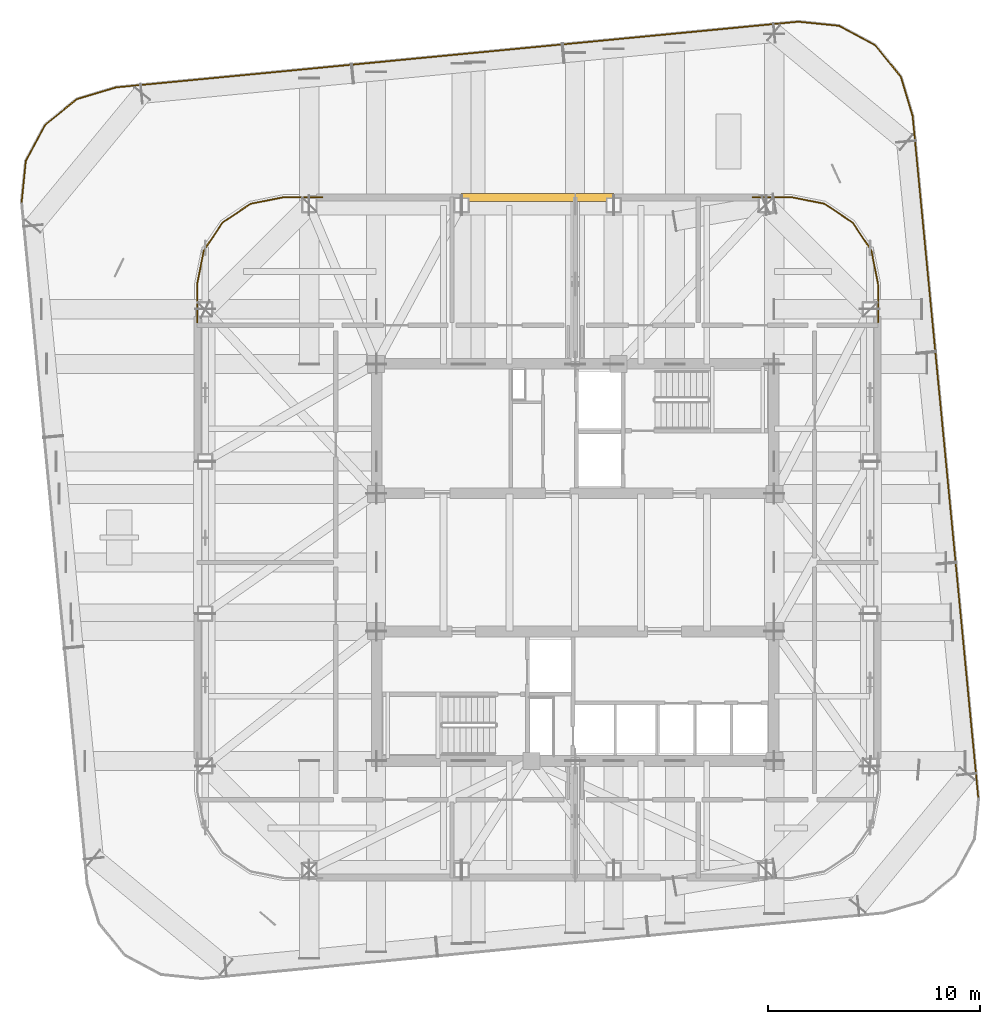
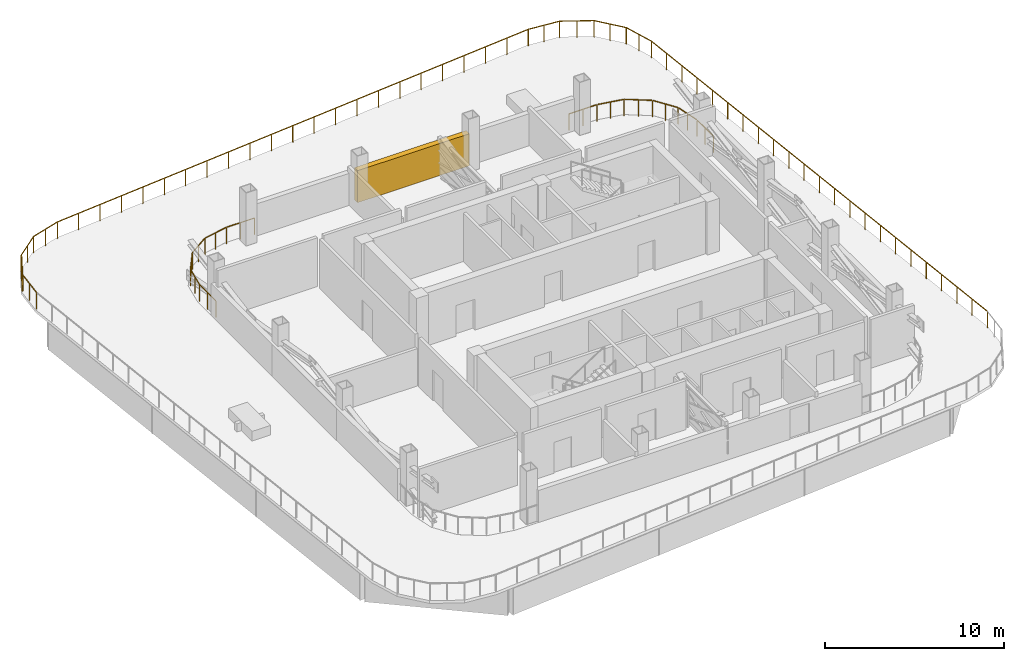
# One storey, part 12 of 12: 12 railings, 1 shading device.
"""IFC4 building model written with IfcOpenShell, lengths in metres."""

from ifc_helpers import new_model, si_unit, direction, frame, origin, origin_2d, place, context, subcontext, project, spatial, rectangle, extrude, material, type_object, element, save


model = new_model("IFC4")

# Units and contexts
model_context = context("Model", 3, precision=1e-05, world=origin(), true_north=direction((0.0, 1.0)))
body_context = subcontext(model_context, "Body", "Model", "MODEL_VIEW")
ifc_project = project(units=[si_unit("LENGTHUNIT", "METRE"), si_unit("AREAUNIT", "SQUARE_METRE"), si_unit("VOLUMEUNIT", "CUBIC_METRE"), si_unit("PLANEANGLEUNIT", "RADIAN"), si_unit("MASSUNIT", "GRAM", prefix="KILO")], contexts=[model_context])

# Site, building, storey
site_placement = place(None, origin())
site = spatial("IfcSite", under=ifc_project, at=site_placement, CompositionType="ELEMENT")
building_placement = place(site_placement, origin())
building = spatial("IfcBuilding", under=site, at=building_placement, Name="Qhalaya Broadcast Tower", CompositionType="ELEMENT")
storey_placement = place(building_placement, frame((0.0, 0.0, 187.949951171875)))
storey = spatial("IfcBuildingStorey", under=building, at=storey_placement, Name="L55", CompositionType="ELEMENT", Elevation=187.949951171875)

# Shading device
ifc_material_1 = material(Name="Fired Architectural Terracotta", Category="masonry")
shading_device_type = type_object("IfcShadingDeviceType", Name="Plant & Turbine-Slot Acoustic Louvre Screen LVS-01", PredefinedType="USERDEFINED", material=ifc_material_1)
shading_device_placement = place(storey_placement, frame((-1.77001953125, 17.780029296875, 0.0), z_axis=(0.0, 0.0, 1.0), x_axis=(1.0, 0.0, 0.0)))
element("IfcShadingDevice", 1, at=shading_device_placement, inside=storey, type_object=shading_device_type, Name="L55 Plant Acoustic Louvre Screen N", ObjectType="LOUVRE", PredefinedType="USERDEFINED", context=body_context, shape_type="SweptSolid", body=[
    extrude(rectangle(XDim=7.199951171875, YDim=0.360107421875, at=origin_2d()), origin(), (0.0, 0.0, 1.0), 2.181884765625),
])

# Railings
ifc_material_2 = material(Name="Powder-Coated Galvanised Steel", Category="steel")
railing_type = type_object("IfcRailingType", Name="Terrace, Sky-Pool & Lookout Glass Balustrade 1150", PredefinedType="BALUSTRADE", material=ifc_material_2)
railing_1_placement = place(storey_placement, frame((-26.06005859375, 17.58837890625, 0.0)))
element("IfcRailing", 2, at=railing_1_placement, inside=storey, type_object=railing_type, Name="L55 Perimeter Safety Balustrade BAL-TER1-07", PredefinedType="BALUSTRADE", context=body_context, shape_type="SweptSolid", body=[
    extrude(rectangle(XDim=0.048095703125, YDim=0.048095703125, at=origin_2d()), frame((0.0, 0.0, 1.1259765625), z_axis=(0.100080680776, 0.994979325079, 0.0), x_axis=(-0.994979325079, 0.100080680776, 0.0)), (0.0, 0.0, 1.0), 1.92724609375),
    extrude(rectangle(XDim=0.0419921875, YDim=0.0419921875, at=origin_2d()), origin(), (0.0, 0.0, 1.0), 1.099853515625),
    extrude(rectangle(XDim=0.0419921875, YDim=0.0419921875, at=origin_2d()), frame((0.096435546875, 0.958740234375, 0.0)), (0.0, 0.0, 1.0), 1.099853515625),
    extrude(rectangle(XDim=0.0419921875, YDim=0.0419921875, at=origin_2d()), frame((0.19287109375, 1.91748046875, 0.0)), (0.0, 0.0, 1.0), 1.099853515625),
])
railing_2_placement = place(storey_placement, frame((-25.8671875, 19.505859375, 0.0)))
element("IfcRailing", 3, at=railing_2_placement, inside=storey, type_object=railing_type, Name="L55 Perimeter Safety Balustrade BAL-TER1-08", PredefinedType="BALUSTRADE", context=body_context, shape_type="SweptSolid", body=[
    extrude(rectangle(XDim=0.048095703125, YDim=0.048095703125, at=origin_2d()), frame((0.0, 0.0, 1.1259765625), z_axis=(0.473378955545, 0.880858878849, 0.0), x_axis=(-0.880858878849, 0.473378955545, 0.0)), (0.0, 0.0, 1.0), 1.919189453125),
    extrude(rectangle(XDim=0.0419921875, YDim=0.0419921875, at=origin_2d()), origin(), (0.0, 0.0, 1.0), 1.099853515625),
    extrude(rectangle(XDim=0.0419921875, YDim=0.0419921875, at=origin_2d()), frame((0.4541015625, 0.84521484375, 0.0)), (0.0, 0.0, 1.0), 1.099853515625),
    extrude(rectangle(XDim=0.0419921875, YDim=0.0419921875, at=origin_2d()), frame((0.908447265625, 1.6904296875, 0.0)), (0.0, 0.0, 1.0), 1.099853515625),
])
railing_3_placement = place(storey_placement, frame((-24.958740234375, 21.1962890625, 0.0)))
element("IfcRailing", 4, at=railing_3_placement, inside=storey, type_object=railing_type, Name="L55 Perimeter Safety Balustrade BAL-TER1-09", PredefinedType="BALUSTRADE", context=body_context, shape_type="SweptSolid", body=[
    extrude(rectangle(XDim=0.048095703125, YDim=0.048095703125, at=origin_2d()), frame((0.0, 0.0, 1.1259765625), z_axis=(0.774410571314, 0.632683386092, 0.0), x_axis=(-0.632683386092, 0.774410571314, 0.0)), (0.0, 0.0, 1.0), 1.9189453125),
    extrude(rectangle(XDim=0.0419921875, YDim=0.0419921875, at=origin_2d()), origin(), (0.0, 0.0, 1.0), 1.099853515625),
    extrude(rectangle(XDim=0.0419921875, YDim=0.0419921875, at=origin_2d()), frame((0.7431640625, 0.60693359375, 0.0)), (0.0, 0.0, 1.0), 1.099853515625),
    extrude(rectangle(XDim=0.0419921875, YDim=0.0419921875, at=origin_2d()), frame((1.486083984375, 1.214111328125, 0.0)), (0.0, 0.0, 1.0), 1.099853515625),
])
railing_4_placement = place(storey_placement, frame((-23.47265625, 22.410400390625, 0.0)))
element("IfcRailing", 5, at=railing_4_placement, inside=storey, type_object=railing_type, Name="L55 Perimeter Safety Balustrade BAL-TER1-10", PredefinedType="BALUSTRADE", context=body_context, shape_type="SweptSolid", body=[
    extrude(rectangle(XDim=0.048095703125, YDim=0.048095703125, at=origin_2d()), frame((0.0, 0.0, 1.1259765625), z_axis=(0.957571388004, 0.288196177763, 0.0), x_axis=(-0.288196177763, 0.957571388004, 0.0)), (0.0, 0.0, 1.0), 1.92724609375),
    extrude(rectangle(XDim=0.0419921875, YDim=0.0419921875, at=origin_2d()), origin(), (0.0, 0.0, 1.0), 1.099853515625),
    extrude(rectangle(XDim=0.0419921875, YDim=0.0419921875, at=origin_2d()), frame((0.9228515625, 0.27783203125, 0.0)), (0.0, 0.0, 1.0), 1.099853515625),
    extrude(rectangle(XDim=0.0419921875, YDim=0.0419921875, at=origin_2d()), frame((1.845458984375, 0.555419921875, 0.0)), (0.0, 0.0, 1.0), 1.099853515625),
])
railing_5_placement = place(storey_placement, frame((-21.627197265625, 22.9658203125, 0.0)))
element("IfcRailing", 6, at=railing_5_placement, inside=storey, type_object=railing_type, Name="L55 Perimeter Safety Balustrade BAL-TER1-11", PredefinedType="BALUSTRADE", context=body_context, shape_type="SweptSolid", body=[
    extrude(rectangle(XDim=0.048095703125, YDim=0.048095703125, at=origin_2d()), frame((0.0, 0.0, 1.1259765625), z_axis=(0.995396370471, 0.095843965139, 0.0), x_axis=(-0.095843965139, 0.995396370471, 0.0)), (0.0, 0.0, 1.0), 32.2841796875),
    extrude(rectangle(XDim=0.0419921875, YDim=0.0419921875, at=origin_2d()), origin(), (0.0, 0.0, 1.0), 1.099853515625),
    extrude(rectangle(XDim=0.0419921875, YDim=0.0419921875, at=origin_2d()), frame((1.460693359375, 0.140625, 0.0)), (0.0, 0.0, 1.0), 1.099853515625),
    extrude(rectangle(XDim=0.0419921875, YDim=0.0419921875, at=origin_2d()), frame((2.92138671875, 0.28125, 0.0)), (0.0, 0.0, 1.0), 1.099853515625),
    extrude(rectangle(XDim=0.0419921875, YDim=0.0419921875, at=origin_2d()), frame((4.382080078125, 0.421875, 0.0)), (0.0, 0.0, 1.0), 1.099853515625),
    extrude(rectangle(XDim=0.0419921875, YDim=0.0419921875, at=origin_2d()), frame((5.8427734375, 0.5625, 0.0)), (0.0, 0.0, 1.0), 1.099853515625),
    extrude(rectangle(XDim=0.0419921875, YDim=0.0419921875, at=origin_2d()), frame((7.303466796875, 0.703125, 0.0)), (0.0, 0.0, 1.0), 1.099853515625),
    extrude(rectangle(XDim=0.0419921875, YDim=0.0419921875, at=origin_2d()), frame((8.76416015625, 0.843994140625, 0.0)), (0.0, 0.0, 1.0), 1.099853515625),
    extrude(rectangle(XDim=0.0419921875, YDim=0.0419921875, at=origin_2d()), frame((10.224853515625, 0.984619140625, 0.0)), (0.0, 0.0, 1.0), 1.099853515625),
    extrude(rectangle(XDim=0.0419921875, YDim=0.0419921875, at=origin_2d()), frame((11.685546875, 1.125244140625, 0.0)), (0.0, 0.0, 1.0), 1.099853515625),
    extrude(rectangle(XDim=0.0419921875, YDim=0.0419921875, at=origin_2d()), frame((13.146240234375, 1.265869140625, 0.0)), (0.0, 0.0, 1.0), 1.099853515625),
    extrude(rectangle(XDim=0.0419921875, YDim=0.0419921875, at=origin_2d()), frame((14.60693359375, 1.406494140625, 0.0)), (0.0, 0.0, 1.0), 1.099853515625),
    extrude(rectangle(XDim=0.0419921875, YDim=0.0419921875, at=origin_2d()), frame((16.06787109375, 1.547119140625, 0.0)), (0.0, 0.0, 1.0), 1.099853515625),
    extrude(rectangle(XDim=0.0419921875, YDim=0.0419921875, at=origin_2d()), frame((17.528564453125, 1.687744140625, 0.0)), (0.0, 0.0, 1.0), 1.099853515625),
    extrude(rectangle(XDim=0.0419921875, YDim=0.0419921875, at=origin_2d()), frame((18.9892578125, 1.828369140625, 0.0)), (0.0, 0.0, 1.0), 1.099853515625),
    extrude(rectangle(XDim=0.0419921875, YDim=0.0419921875, at=origin_2d()), frame((20.449951171875, 1.968994140625, 0.0)), (0.0, 0.0, 1.0), 1.099853515625),
    extrude(rectangle(XDim=0.0419921875, YDim=0.0419921875, at=origin_2d()), frame((21.91064453125, 2.109619140625, 0.0)), (0.0, 0.0, 1.0), 1.099853515625),
    extrude(rectangle(XDim=0.0419921875, YDim=0.0419921875, at=origin_2d()), frame((23.371337890625, 2.250244140625, 0.0)), (0.0, 0.0, 1.0), 1.099853515625),
    extrude(rectangle(XDim=0.0419921875, YDim=0.0419921875, at=origin_2d()), frame((24.83203125, 2.39111328125, 0.0)), (0.0, 0.0, 1.0), 1.099853515625),
    extrude(rectangle(XDim=0.0419921875, YDim=0.0419921875, at=origin_2d()), frame((26.292724609375, 2.53173828125, 0.0)), (0.0, 0.0, 1.0), 1.099853515625),
    extrude(rectangle(XDim=0.0419921875, YDim=0.0419921875, at=origin_2d()), frame((27.75341796875, 2.67236328125, 0.0)), (0.0, 0.0, 1.0), 1.099853515625),
    extrude(rectangle(XDim=0.0419921875, YDim=0.0419921875, at=origin_2d()), frame((29.214111328125, 2.81298828125, 0.0)), (0.0, 0.0, 1.0), 1.099853515625),
    extrude(rectangle(XDim=0.0419921875, YDim=0.0419921875, at=origin_2d()), frame((30.6748046875, 2.95361328125, 0.0)), (0.0, 0.0, 1.0), 1.099853515625),
    extrude(rectangle(XDim=0.0419921875, YDim=0.0419921875, at=origin_2d()), frame((32.135498046875, 3.09423828125, 0.0)), (0.0, 0.0, 1.0), 1.099853515625),
])
railing_6_placement = place(storey_placement, frame((10.50830078125, 26.06005859375, 0.0)))
element("IfcRailing", 7, at=railing_6_placement, inside=storey, type_object=railing_type, Name="L55 Perimeter Safety Balustrade BAL-TER1-12", PredefinedType="BALUSTRADE", context=body_context, shape_type="SweptSolid", body=[
    extrude(rectangle(XDim=0.048095703125, YDim=0.048095703125, at=origin_2d()), frame((0.0, 0.0, 1.1259765625), z_axis=(0.994979325079, -0.100080680776, 0.0), x_axis=(0.100080680776, 0.994979325079, 0.0)), (0.0, 0.0, 1.0), 1.92724609375),
    extrude(rectangle(XDim=0.0419921875, YDim=0.0419921875, at=origin_2d()), origin(), (0.0, 0.0, 1.0), 1.099853515625),
    extrude(rectangle(XDim=0.0419921875, YDim=0.0419921875, at=origin_2d()), frame((0.958740234375, -0.096435546875, 0.0)), (0.0, 0.0, 1.0), 1.099853515625),
    extrude(rectangle(XDim=0.0419921875, YDim=0.0419921875, at=origin_2d()), frame((1.91748046875, -0.19287109375, 0.0)), (0.0, 0.0, 1.0), 1.099853515625),
])
railing_7_placement = place(storey_placement, frame((12.42578125, 25.8671875, 0.0)))
element("IfcRailing", 8, at=railing_7_placement, inside=storey, type_object=railing_type, Name="L55 Perimeter Safety Balustrade BAL-TER1-13", PredefinedType="BALUSTRADE", context=body_context, shape_type="SweptSolid", body=[
    extrude(rectangle(XDim=0.048095703125, YDim=0.048095703125, at=origin_2d()), frame((0.0, 0.0, 1.1259765625), z_axis=(0.880858878849, -0.473378955545, 0.0), x_axis=(0.473378955545, 0.880858878849, 0.0)), (0.0, 0.0, 1.0), 1.919189453125),
    extrude(rectangle(XDim=0.0419921875, YDim=0.0419921875, at=origin_2d()), origin(), (0.0, 0.0, 1.0), 1.099853515625),
    extrude(rectangle(XDim=0.0419921875, YDim=0.0419921875, at=origin_2d()), frame((0.84521484375, -0.4541015625, 0.0)), (0.0, 0.0, 1.0), 1.099853515625),
    extrude(rectangle(XDim=0.0419921875, YDim=0.0419921875, at=origin_2d()), frame((1.6904296875, -0.908447265625, 0.0)), (0.0, 0.0, 1.0), 1.099853515625),
])
railing_8_placement = place(storey_placement, frame((14.1162109375, 24.958740234375, 0.0)))
element("IfcRailing", 9, at=railing_8_placement, inside=storey, type_object=railing_type, Name="L55 Perimeter Safety Balustrade BAL-TER1-14", PredefinedType="BALUSTRADE", context=body_context, shape_type="SweptSolid", body=[
    extrude(rectangle(XDim=0.048095703125, YDim=0.048095703125, at=origin_2d()), frame((0.0, 0.0, 1.1259765625), z_axis=(0.632759674418, -0.774348238476, 0.0), x_axis=(0.774348238476, 0.632759674418, 0.0)), (0.0, 0.0, 1.0), 1.919189453125),
    extrude(rectangle(XDim=0.0419921875, YDim=0.0419921875, at=origin_2d()), origin(), (0.0, 0.0, 1.0), 1.099853515625),
    extrude(rectangle(XDim=0.0419921875, YDim=0.0419921875, at=origin_2d()), frame((0.607177734375, -0.7431640625, 0.0)), (0.0, 0.0, 1.0), 1.099853515625),
    extrude(rectangle(XDim=0.0419921875, YDim=0.0419921875, at=origin_2d()), frame((1.21435546875, -1.486083984375, 0.0)), (0.0, 0.0, 1.0), 1.099853515625),
])
railing_9_placement = place(storey_placement, frame((15.33056640625, 23.47265625, 0.0)))
element("IfcRailing", 10, at=railing_9_placement, inside=storey, type_object=railing_type, Name="L55 Perimeter Safety Balustrade BAL-TER1-15", PredefinedType="BALUSTRADE", context=body_context, shape_type="SweptSolid", body=[
    extrude(rectangle(XDim=0.048095703125, YDim=0.048095703125, at=origin_2d()), frame((0.0, 0.0, 1.1259765625), z_axis=(0.288080013399, -0.957606341813, 0.0), x_axis=(0.957606341813, 0.288080013399, 0.0)), (0.0, 0.0, 1.0), 1.92724609375),
    extrude(rectangle(XDim=0.0419921875, YDim=0.0419921875, at=origin_2d()), origin(), (0.0, 0.0, 1.0), 1.099853515625),
    extrude(rectangle(XDim=0.0419921875, YDim=0.0419921875, at=origin_2d()), frame((0.277587890625, -0.9228515625, 0.0)), (0.0, 0.0, 1.0), 1.099853515625),
    extrude(rectangle(XDim=0.0419921875, YDim=0.0419921875, at=origin_2d()), frame((0.55517578125, -1.845458984375, 0.0)), (0.0, 0.0, 1.0), 1.099853515625),
])
railing_10_placement = place(storey_placement, frame((15.8857421875, 21.627197265625, 0.0)))
element("IfcRailing", 11, at=railing_10_placement, inside=storey, type_object=railing_type, Name="L55 Perimeter Safety Balustrade BAL-TER1-16", PredefinedType="BALUSTRADE", context=body_context, shape_type="SweptSolid", body=[
    extrude(rectangle(XDim=0.048095703125, YDim=0.048095703125, at=origin_2d()), frame((0.0, 0.0, 1.1259765625), z_axis=(0.095843965139, -0.995396370471, 0.0), x_axis=(0.995396370471, 0.095843965139, 0.0)), (0.0, 0.0, 1.0), 32.2841796875),
    extrude(rectangle(XDim=0.0419921875, YDim=0.0419921875, at=origin_2d()), origin(), (0.0, 0.0, 1.0), 1.099853515625),
    extrude(rectangle(XDim=0.0419921875, YDim=0.0419921875, at=origin_2d()), frame((0.140625, -1.460693359375, 0.0)), (0.0, 0.0, 1.0), 1.099853515625),
    extrude(rectangle(XDim=0.0419921875, YDim=0.0419921875, at=origin_2d()), frame((0.28125, -2.92138671875, 0.0)), (0.0, 0.0, 1.0), 1.099853515625),
    extrude(rectangle(XDim=0.0419921875, YDim=0.0419921875, at=origin_2d()), frame((0.421875, -4.382080078125, 0.0)), (0.0, 0.0, 1.0), 1.099853515625),
    extrude(rectangle(XDim=0.0419921875, YDim=0.0419921875, at=origin_2d()), frame((0.5625, -5.8427734375, 0.0)), (0.0, 0.0, 1.0), 1.099853515625),
    extrude(rectangle(XDim=0.0419921875, YDim=0.0419921875, at=origin_2d()), frame((0.703125, -7.303466796875, 0.0)), (0.0, 0.0, 1.0), 1.099853515625),
    extrude(rectangle(XDim=0.0419921875, YDim=0.0419921875, at=origin_2d()), frame((0.843994140625, -8.76416015625, 0.0)), (0.0, 0.0, 1.0), 1.099853515625),
    extrude(rectangle(XDim=0.0419921875, YDim=0.0419921875, at=origin_2d()), frame((0.984619140625, -10.224853515625, 0.0)), (0.0, 0.0, 1.0), 1.099853515625),
    extrude(rectangle(XDim=0.0419921875, YDim=0.0419921875, at=origin_2d()), frame((1.125244140625, -11.685546875, 0.0)), (0.0, 0.0, 1.0), 1.099853515625),
    extrude(rectangle(XDim=0.0419921875, YDim=0.0419921875, at=origin_2d()), frame((1.265869140625, -13.146240234375, 0.0)), (0.0, 0.0, 1.0), 1.099853515625),
    extrude(rectangle(XDim=0.0419921875, YDim=0.0419921875, at=origin_2d()), frame((1.406494140625, -14.60693359375, 0.0)), (0.0, 0.0, 1.0), 1.099853515625),
    extrude(rectangle(XDim=0.0419921875, YDim=0.0419921875, at=origin_2d()), frame((1.547119140625, -16.06787109375, 0.0)), (0.0, 0.0, 1.0), 1.099853515625),
    extrude(rectangle(XDim=0.0419921875, YDim=0.0419921875, at=origin_2d()), frame((1.687744140625, -17.528564453125, 0.0)), (0.0, 0.0, 1.0), 1.099853515625),
    extrude(rectangle(XDim=0.0419921875, YDim=0.0419921875, at=origin_2d()), frame((1.828369140625, -18.9892578125, 0.0)), (0.0, 0.0, 1.0), 1.099853515625),
    extrude(rectangle(XDim=0.0419921875, YDim=0.0419921875, at=origin_2d()), frame((1.968994140625, -20.449951171875, 0.0)), (0.0, 0.0, 1.0), 1.099853515625),
    extrude(rectangle(XDim=0.0419921875, YDim=0.0419921875, at=origin_2d()), frame((2.109619140625, -21.91064453125, 0.0)), (0.0, 0.0, 1.0), 1.099853515625),
    extrude(rectangle(XDim=0.0419921875, YDim=0.0419921875, at=origin_2d()), frame((2.250244140625, -23.371337890625, 0.0)), (0.0, 0.0, 1.0), 1.099853515625),
    extrude(rectangle(XDim=0.0419921875, YDim=0.0419921875, at=origin_2d()), frame((2.39111328125, -24.83203125, 0.0)), (0.0, 0.0, 1.0), 1.099853515625),
    extrude(rectangle(XDim=0.0419921875, YDim=0.0419921875, at=origin_2d()), frame((2.53173828125, -26.292724609375, 0.0)), (0.0, 0.0, 1.0), 1.099853515625),
    extrude(rectangle(XDim=0.0419921875, YDim=0.0419921875, at=origin_2d()), frame((2.67236328125, -27.75341796875, 0.0)), (0.0, 0.0, 1.0), 1.099853515625),
    extrude(rectangle(XDim=0.0419921875, YDim=0.0419921875, at=origin_2d()), frame((2.81298828125, -29.214111328125, 0.0)), (0.0, 0.0, 1.0), 1.099853515625),
    extrude(rectangle(XDim=0.0419921875, YDim=0.0419921875, at=origin_2d()), frame((2.95361328125, -30.6748046875, 0.0)), (0.0, 0.0, 1.0), 1.099853515625),
    extrude(rectangle(XDim=0.0419921875, YDim=0.0419921875, at=origin_2d()), frame((3.09423828125, -32.135498046875, 0.0)), (0.0, 0.0, 1.0), 1.099853515625),
])
railing_11_placement = place(storey_placement, frame((-17.800048828125, 11.902099609375, 0.0)))
element("IfcRailing", 12, at=railing_11_placement, inside=storey, type_object=railing_type, Name="L55 Rounded Corner Perimeter Guard 03", PredefinedType="BALUSTRADE", context=body_context, shape_type="SweptSolid", body=[
    extrude(rectangle(XDim=0.048095703125, YDim=0.048095703125, at=origin_2d()), frame((0.0, 0.0, 1.1259765625), z_axis=(0.0, 1.0, 0.0), x_axis=(-1.0, 0.0, 0.0)), (0.0, 0.0, 1.0), 1.77734375),
    extrude(rectangle(XDim=0.048095703125, YDim=0.048095703125, at=origin_2d()), frame((0.005615234375, 1.83447265625, 1.1259765625), z_axis=(0.195090959886, 0.980785153523, 0.0), x_axis=(-0.980785153523, 0.195090959886, 0.0)), (0.0, 0.0, 1.0), 1.54541015625),
    extrude(rectangle(XDim=0.048095703125, YDim=0.048095703125, at=origin_2d()), frame((0.328857421875, 3.40234375, 1.1259765625), z_axis=(0.555655964777, 0.83141232178, 0.0), x_axis=(-0.83141232178, 0.555655964777, 0.0)), (0.0, 0.0, 1.0), 1.533203125),
    extrude(rectangle(XDim=0.048095703125, YDim=0.048095703125, at=origin_2d()), frame((1.220703125, 4.71728515625, 1.1259765625), z_axis=(0.83141232178, 0.555655964777, 0.0), x_axis=(-0.555655964777, 0.83141232178, 0.0)), (0.0, 0.0, 1.0), 1.533203125),
    extrude(rectangle(XDim=0.048095703125, YDim=0.048095703125, at=origin_2d()), frame((2.5478515625, 5.5908203125, 1.1259765625), z_axis=(0.980785153523, 0.195090959886, 0.0), x_axis=(-0.195090959886, 0.980785153523, 0.0)), (0.0, 0.0, 1.0), 1.54541015625),
    extrude(rectangle(XDim=0.048095703125, YDim=0.048095703125, at=origin_2d()), frame((4.12060546875, 5.89794921875, 1.1259765625), z_axis=(1.0, 0.0, 0.0), x_axis=(0.0, 1.0, 0.0)), (0.0, 0.0, 1.0), 1.77734375),
    extrude(rectangle(XDim=0.0419921875, YDim=0.0419921875, at=origin_2d()), origin(), (0.0, 0.0, 1.0), 1.099853515625),
    extrude(rectangle(XDim=0.0419921875, YDim=0.0419921875, at=origin_2d()), frame((0.0, 0.903076171875, 0.0)), (0.0, 0.0, 1.0), 1.099853515625),
    extrude(rectangle(XDim=0.0419921875, YDim=0.0419921875, at=origin_2d()), frame((0.0, 1.80615234375, 0.0)), (0.0, 0.0, 1.0), 1.099853515625),
    extrude(rectangle(XDim=0.0419921875, YDim=0.0419921875, at=origin_2d()), frame((0.15625, 2.59228515625, 0.0)), (0.0, 0.0, 1.0), 1.099853515625),
    extrude(rectangle(XDim=0.0419921875, YDim=0.0419921875, at=origin_2d()), frame((0.312744140625, 3.37841796875, 0.0)), (0.0, 0.0, 1.0), 1.099853515625),
    extrude(rectangle(XDim=0.0419921875, YDim=0.0419921875, at=origin_2d()), frame((0.7548828125, 4.039794921875, 0.0)), (0.0, 0.0, 1.0), 1.099853515625),
    extrude(rectangle(XDim=0.0419921875, YDim=0.0419921875, at=origin_2d()), frame((1.19677734375, 4.701171875, 0.0)), (0.0, 0.0, 1.0), 1.099853515625),
    extrude(rectangle(XDim=0.0419921875, YDim=0.0419921875, at=origin_2d()), frame((1.858154296875, 5.14306640625, 0.0)), (0.0, 0.0, 1.0), 1.099853515625),
    extrude(rectangle(XDim=0.0419921875, YDim=0.0419921875, at=origin_2d()), frame((2.51953125, 5.585205078125, 0.0)), (0.0, 0.0, 1.0), 1.099853515625),
    extrude(rectangle(XDim=0.0419921875, YDim=0.0419921875, at=origin_2d()), frame((3.3056640625, 5.74169921875, 0.0)), (0.0, 0.0, 1.0), 1.099853515625),
    extrude(rectangle(XDim=0.0419921875, YDim=0.0419921875, at=origin_2d()), frame((4.091796875, 5.89794921875, 0.0)), (0.0, 0.0, 1.0), 1.099853515625),
    extrude(rectangle(XDim=0.0419921875, YDim=0.0419921875, at=origin_2d()), frame((4.994873046875, 5.89794921875, 0.0)), (0.0, 0.0, 1.0), 1.099853515625),
    extrude(rectangle(XDim=0.0419921875, YDim=0.0419921875, at=origin_2d()), frame((5.89794921875, 5.89794921875, 0.0)), (0.0, 0.0, 1.0), 1.099853515625),
])
railing_12_placement = place(storey_placement, frame((8.362060546875, 17.800048828125, 0.0)))
element("IfcRailing", 13, at=railing_12_placement, inside=storey, type_object=railing_type, Name="L55 Rounded Corner Perimeter Guard 04", PredefinedType="BALUSTRADE", context=body_context, shape_type="SweptSolid", body=[
    extrude(rectangle(XDim=0.048095703125, YDim=0.048095703125, at=origin_2d()), frame((0.0, 0.0, 1.1259765625), z_axis=(1.0, 0.0, 0.0), x_axis=(0.0, 1.0, 0.0)), (0.0, 0.0, 1.0), 1.77734375),
    extrude(rectangle(XDim=0.048095703125, YDim=0.048095703125, at=origin_2d()), frame((1.83447265625, -0.005615234375, 1.1259765625), z_axis=(0.980785153523, -0.195090959886, 0.0), x_axis=(0.195090959886, 0.980785153523, 0.0)), (0.0, 0.0, 1.0), 1.54541015625),
    extrude(rectangle(XDim=0.048095703125, YDim=0.048095703125, at=origin_2d()), frame((3.40234375, -0.328857421875, 1.1259765625), z_axis=(0.83141232178, -0.555655964777, 0.0), x_axis=(0.555655964777, 0.83141232178, 0.0)), (0.0, 0.0, 1.0), 1.533203125),
    extrude(rectangle(XDim=0.048095703125, YDim=0.048095703125, at=origin_2d()), frame((4.71728515625, -1.220703125, 1.1259765625), z_axis=(0.555655964777, -0.83141232178, 0.0), x_axis=(0.83141232178, 0.555655964777, 0.0)), (0.0, 0.0, 1.0), 1.533203125),
    extrude(rectangle(XDim=0.048095703125, YDim=0.048095703125, at=origin_2d()), frame((5.5908203125, -2.5478515625, 1.1259765625), z_axis=(0.195090959886, -0.980785153523, 0.0), x_axis=(0.980785153523, 0.195090959886, 0.0)), (0.0, 0.0, 1.0), 1.54541015625),
    extrude(rectangle(XDim=0.048095703125, YDim=0.048095703125, at=origin_2d()), frame((5.89794921875, -4.12060546875, 1.1259765625), z_axis=(0.0, -1.0, 0.0), x_axis=(1.0, 0.0, 0.0)), (0.0, 0.0, 1.0), 1.77734375),
    extrude(rectangle(XDim=0.0419921875, YDim=0.0419921875, at=origin_2d()), origin(), (0.0, 0.0, 1.0), 1.099853515625),
    extrude(rectangle(XDim=0.0419921875, YDim=0.0419921875, at=origin_2d()), frame((0.903076171875, 0.0, 0.0)), (0.0, 0.0, 1.0), 1.099853515625),
    extrude(rectangle(XDim=0.0419921875, YDim=0.0419921875, at=origin_2d()), frame((1.80615234375, 0.0, 0.0)), (0.0, 0.0, 1.0), 1.099853515625),
    extrude(rectangle(XDim=0.0419921875, YDim=0.0419921875, at=origin_2d()), frame((2.59228515625, -0.15625, 0.0)), (0.0, 0.0, 1.0), 1.099853515625),
    extrude(rectangle(XDim=0.0419921875, YDim=0.0419921875, at=origin_2d()), frame((3.37841796875, -0.312744140625, 0.0)), (0.0, 0.0, 1.0), 1.099853515625),
    extrude(rectangle(XDim=0.0419921875, YDim=0.0419921875, at=origin_2d()), frame((4.039794921875, -0.7548828125, 0.0)), (0.0, 0.0, 1.0), 1.099853515625),
    extrude(rectangle(XDim=0.0419921875, YDim=0.0419921875, at=origin_2d()), frame((4.701171875, -1.19677734375, 0.0)), (0.0, 0.0, 1.0), 1.099853515625),
    extrude(rectangle(XDim=0.0419921875, YDim=0.0419921875, at=origin_2d()), frame((5.14306640625, -1.858154296875, 0.0)), (0.0, 0.0, 1.0), 1.099853515625),
    extrude(rectangle(XDim=0.0419921875, YDim=0.0419921875, at=origin_2d()), frame((5.585205078125, -2.51953125, 0.0)), (0.0, 0.0, 1.0), 1.099853515625),
    extrude(rectangle(XDim=0.0419921875, YDim=0.0419921875, at=origin_2d()), frame((5.74169921875, -3.3056640625, 0.0)), (0.0, 0.0, 1.0), 1.099853515625),
    extrude(rectangle(XDim=0.0419921875, YDim=0.0419921875, at=origin_2d()), frame((5.89794921875, -4.091796875, 0.0)), (0.0, 0.0, 1.0), 1.099853515625),
    extrude(rectangle(XDim=0.0419921875, YDim=0.0419921875, at=origin_2d()), frame((5.89794921875, -4.994873046875, 0.0)), (0.0, 0.0, 1.0), 1.099853515625),
    extrude(rectangle(XDim=0.0419921875, YDim=0.0419921875, at=origin_2d()), frame((5.89794921875, -5.89794921875, 0.0)), (0.0, 0.0, 1.0), 1.099853515625),
])

save(model, "model.ifc")
